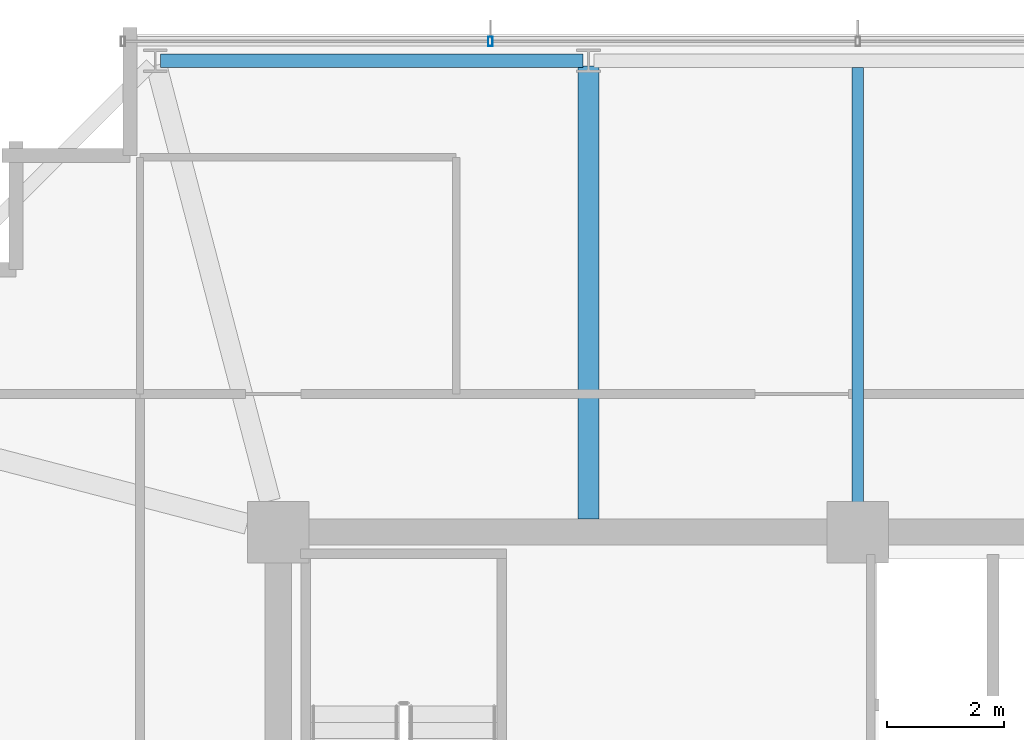
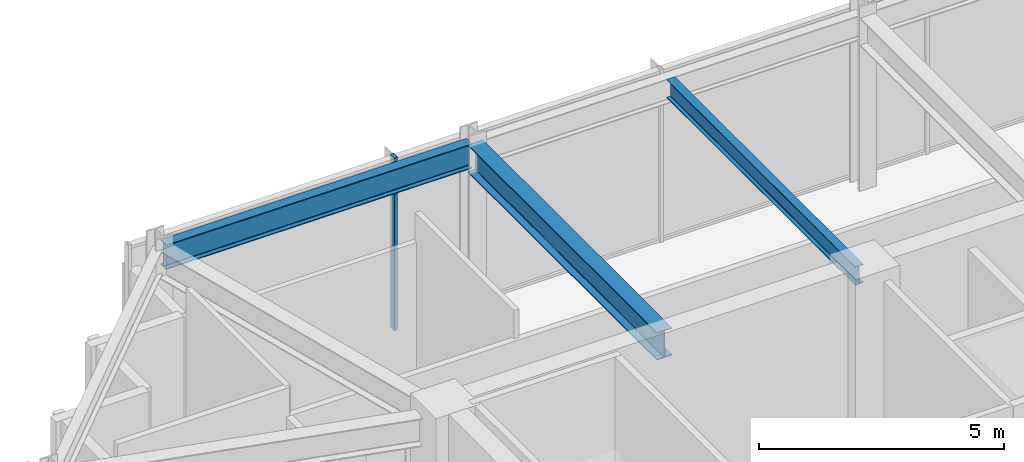
# One storey, part 16 of 30: 3 beams, 1 member, 1 element without a shape of its own.
"""IFC4 building model written with IfcOpenShell, lengths in metres."""

import ifcopenshell
import ifcopenshell.guid

model = None  # the IFC model being written
_history = None  # IfcOwnerHistory: only IFC2X3 demands one
_inside = {}  # id of a spatial element -> (the spatial element, [elements in it])
_under = {}  # id of a project, library or spatial element -> (it, [spatial elements below it])
_declared = {}  # id of a project -> (the project, [libraries it declares])
_typed = {}  # id of a type object -> (the type object, [elements of that type])
_made_of = {}  # id of a material, layer set ... -> (it, [elements and type objects made of it])


def new_model(schema):
    """Start an empty IFC model of exactly this schema.

    Asked for "IFC4X3", IfcOpenShell would pick the latest addendum, in which some entities
    have other attributes; the version numbers below select the first issue.
    IFC2X3 requires an IfcOwnerHistory on every rooted entity: one is made here for all.
    """
    global model, _history
    if schema == "IFC4X3":
        model = ifcopenshell.file(schema_version=(4, 3, 0, 0))
    else:
        model = ifcopenshell.file(schema=schema)
    _inside.clear()
    _under.clear()
    _declared.clear()
    _typed.clear()
    _made_of.clear()
    _history = None
    if model.schema == "IFC2X3":
        org = make("IfcOrganization", Name="unknown")
        user = make(
            "IfcPersonAndOrganization",
            ThePerson=make("IfcPerson", FamilyName="unknown"),
            TheOrganization=org,
        )
        app = make(
            "IfcApplication",
            ApplicationDeveloper=org,
            Version="unknown",
            ApplicationFullName="unknown",
            ApplicationIdentifier="unknown",
        )
        _history = make(
            "IfcOwnerHistory",
            OwningUser=user,
            OwningApplication=app,
            ChangeAction="ADDED",
            CreationDate=0,
        )
    return model


def make(cls, **values):
    """One entity of the class cls with the attributes given. An attribute that is None is left unset."""
    return model.create_entity(
        cls, **{name: value for name, value in values.items() if value is not None}
    )


def rooted(cls, **values):
    """An entity with a GlobalId (a new one), such as an element, a storey or a relation."""
    return make(cls, GlobalId=ifcopenshell.guid.new(), OwnerHistory=_history, **values)


def si_unit(unit_type, name, prefix=None):
    """IfcSIUnit, for example si_unit("LENGTHUNIT", "METRE", prefix="MILLI")."""
    return make("IfcSIUnit", UnitType=unit_type, Prefix=prefix, Name=name)


def assignment(units):
    """IfcUnitAssignment: the units of a project."""
    return None if units is None else make("IfcUnitAssignment", Units=units)


def point(xyz):
    """IfcCartesianPoint."""
    return None if xyz is None else make("IfcCartesianPoint", Coordinates=xyz)


def direction(xyz):
    """IfcDirection."""
    return None if xyz is None else make("IfcDirection", DirectionRatios=xyz)


def frame(location, z_axis=None, x_axis=None):
    """IfcAxis2Placement3D, a coordinate frame: its origin and axes. An axis left out is left unset."""
    return make(
        "IfcAxis2Placement3D",
        Location=point(location),
        Axis=direction(z_axis),
        RefDirection=direction(x_axis),
    )


def frame_2d(location, x_axis=None):
    """IfcAxis2Placement2D, a coordinate frame in the plane: its origin and x axis."""
    return make(
        "IfcAxis2Placement2D", Location=point(location), RefDirection=direction(x_axis)
    )


def origin():
    """The frame at (0, 0, 0) with its axes left unset."""
    return frame((0.0, 0.0, 0.0))


def origin_2d():
    """The frame at (0, 0) in the plane with its x axis left unset."""
    return frame_2d((0.0, 0.0))


def place(relative_to, where):
    """IfcLocalPlacement: puts the frame where relative to a parent placement (None: the world)."""
    return make(
        "IfcLocalPlacement", PlacementRelTo=relative_to, RelativePlacement=where
    )


def context(
    kind, dimensions, precision=None, world=None, true_north=None, identifier=None
):
    """IfcGeometricRepresentationContext, for example the 3D "Model" context."""
    return make(
        "IfcGeometricRepresentationContext",
        ContextIdentifier=identifier,
        ContextType=kind,
        CoordinateSpaceDimension=dimensions,
        Precision=precision,
        WorldCoordinateSystem=world,
        TrueNorth=true_north,
    )


def subcontext(parent, identifier, kind, view, scale=None):
    """IfcGeometricRepresentationSubContext, for example "Body" below "Model"."""
    return make(
        "IfcGeometricRepresentationSubContext",
        ContextIdentifier=identifier,
        ContextType=kind,
        ParentContext=parent,
        TargetScale=scale,
        TargetView=view,
    )


def project(units=None, contexts=None):
    """IfcProject with its units and contexts."""
    return rooted(
        "IfcProject",
        Name="project",
        RepresentationContexts=contexts,
        UnitsInContext=assignment(units),
    )


def spatial(cls, under=None, at=None, **own):
    """A site, building, storey or space (cls), placed at a placement, below another one or the project."""
    s = rooted(cls, ObjectPlacement=at, **own)
    if under is not None:
        _under.setdefault(under.id(), (under, []))[1].append(s)
    return s


def profile(cls, at=None, kind="AREA", **sizes):
    """A parametric profile (cls). Its sizes go by their IFC names, for example OverallWidth=200.0."""
    return make(cls, ProfileType=kind, Position=at, **sizes)


def hollow_rectangle(**sizes):
    """IfcRectangleHollowProfileDef."""
    return profile("IfcRectangleHollowProfileDef", **sizes)


def i_section(**sizes):
    """IfcIShapeProfileDef."""
    return profile("IfcIShapeProfileDef", **sizes)


def extrude(swept, where, along, depth):
    """IfcExtrudedAreaSolid: the profile swept, set in the frame where, extruded along a direction by depth."""
    return make(
        "IfcExtrudedAreaSolid",
        SweptArea=swept,
        Position=where,
        ExtrudedDirection=direction(along),
        Depth=depth,
    )


def shape(context_of_items, identifier, shape_type, items):
    """IfcShapeRepresentation: the items that make up one representation, for example the "Body"."""
    return make(
        "IfcShapeRepresentation",
        ContextOfItems=context_of_items,
        RepresentationIdentifier=identifier,
        RepresentationType=shape_type,
        Items=items,
    )


def material(Name=None, Category=None):
    """IfcMaterial."""
    return make("IfcMaterial", Name=Name, Category=Category)


def material_profile(
    of_material, cross_section, Name=None, Category=None, Priority=None
):
    """IfcMaterialProfile: a cross section and its material."""
    return make(
        "IfcMaterialProfile",
        Name=Name,
        Material=of_material,
        Profile=cross_section,
        Priority=Priority,
        Category=Category,
    )


def profile_set(profiles, Name=None, composite=None):
    """IfcMaterialProfileSet."""
    return make(
        "IfcMaterialProfileSet",
        Name=Name,
        MaterialProfiles=profiles,
        CompositeProfile=composite,
    )


def made_of(thing, what):
    """Note that an element or type object is made of a material, layer set ...; save() writes the relation."""
    if what is not None:
        _made_of.setdefault(what.id(), (what, []))[1].append(thing)
    return thing


def type_object(cls, material=None, **own):
    """A type object (cls), such as IfcWallType, which elements share."""
    return made_of(rooted(cls, **own), material)


def element(
    cls,
    number,
    at=None,
    inside=None,
    cuts=None,
    type_object=None,
    material=None,
    context=None,
    identifier="Body",
    shape_type=None,
    held_by="IfcProductDefinitionShape",
    body=None,
    shapes=None,
    **own,
):
    """One element of the class cls, such as IfcWall. Its Tag is "e" and its number.

    at: its placement. inside: the storey or other place that contains it. cuts: it is an
    opening in that element (IfcRelVoidsElement). A single representation is given by context,
    identifier, shape_type and body (its items); several are given by shapes. held_by: the class
    of the entity that holds the representations. save() writes the other relations.
    """
    e = rooted(cls, Tag="e%d" % number, ObjectPlacement=at, **own)
    if body is not None:
        shapes = [shape(context, identifier, shape_type, body)]
    if shapes is not None:
        e.Representation = make(held_by, Representations=shapes)
    if inside is not None:
        _inside.setdefault(inside.id(), (inside, []))[1].append(e)
    if cuts is not None:
        rooted(
            "IfcRelVoidsElement", RelatingBuildingElement=cuts, RelatedOpeningElement=e
        )
    if type_object is not None:
        _typed.setdefault(type_object.id(), (type_object, []))[1].append(e)
    return made_of(e, material)


def aggregate(whole, parts):
    """IfcRelAggregates: a whole, such as a stair, and the parts it consists of."""
    return rooted("IfcRelAggregates", RelatingObject=whole, RelatedObjects=parts)


def save(model, path):
    """Write the relations noted so far, then the file.

    IfcRelAggregates (storeys below a building ...), IfcRelContainedInSpatialStructure (elements
    in a storey), IfcRelDefinesByType, IfcRelAssociatesMaterial and IfcRelDeclares: one each for
    every whole, place, type object, material and project.
    """
    for whole, parts in _under.values():
        aggregate(whole, parts)
    for where, things in _inside.values():
        rooted(
            "IfcRelContainedInSpatialStructure",
            RelatedElements=things,
            RelatingStructure=where,
        )
    for kind, things in _typed.values():
        rooted("IfcRelDefinesByType", RelatedObjects=things, RelatingType=kind)
    for what, things in _made_of.values():
        rooted("IfcRelAssociatesMaterial", RelatedObjects=things, RelatingMaterial=what)
    for by, libraries in _declared.values():
        rooted("IfcRelDeclares", RelatingContext=by, RelatedDefinitions=libraries)
    model.write(path)


model = new_model("IFC4")

# Units and contexts
model_context = context("Model", 3, precision=1e-05, world=origin(), true_north=direction((0.0, 1.0)))
body_context = subcontext(model_context, "Body", "Model", "MODEL_VIEW")
ifc_project = project(units=[si_unit("LENGTHUNIT", "METRE"), si_unit("AREAUNIT", "SQUARE_METRE"), si_unit("VOLUMEUNIT", "CUBIC_METRE"), si_unit("PLANEANGLEUNIT", "RADIAN"), si_unit("MASSUNIT", "GRAM", prefix="KILO")], contexts=[model_context])

# Site, building, storey
site_placement = place(None, origin())
site = spatial("IfcSite", under=ifc_project, at=site_placement, CompositionType="ELEMENT")
building_placement = place(site_placement, origin())
building = spatial("IfcBuilding", under=site, at=building_placement, Name="Kolvaren Belvedere", CompositionType="ELEMENT")
storey_placement = place(building_placement, frame((0.0, 0.0, 262.800048828125)))
storey = spatial("IfcBuildingStorey", under=building, at=storey_placement, Name="L76", CompositionType="ELEMENT", Elevation=262.800048828125)

# Beams
ifc_material_1 = material(Name="Structural steel ASTM A992 Grade 50", Category="steel")
ifc_material_profile_1 = material_profile(ifc_material_1, i_section(OverallWidth=0.35498046875, OverallDepth=0.696044921875, WebThickness=0.015380859375, FlangeThickness=0.02490234375, FilletRadius=0.02197265625, at=origin_2d()), Name="W27X146")
ifc_profile_set_1 = profile_set([ifc_material_profile_1], Name="Structural steel ASTM A992 Grade 50")
beam_type_1 = type_object("IfcBeamType", Name="BM-GIRD-W27X146", PredefinedType="BEAM", material=ifc_profile_set_1)
beam_1_placement = place(storey_placement, frame((-4.60009765625, 10.125, 3.971923828125), z_axis=(0.0, 1.0, 0.0), x_axis=(-1.0, 0.0, 0.0)))
element("IfcBeam", 1, at=beam_1_placement, inside=storey, type_object=beam_type_1, Name="L76 North Radial Girder M", PredefinedType="BEAM", context=body_context, shape_type="SweptSolid", body=[
    extrude(i_section(OverallWidth=0.35498046875, OverallDepth=0.696044921875, WebThickness=0.015380859375, FlangeThickness=0.02490234375, FilletRadius=0.02197265625, at=origin_2d()), origin(), (0.0, 0.0, 1.0), 7.7333984375),
])
ifc_material_2 = material(Name="Structural steel ASTM A992 Grade 50", Category="steel")
ifc_material_profile_2 = material_profile(ifc_material_2, i_section(OverallWidth=0.19091796875, OverallDepth=0.4599609375, WebThickness=0.010009765625, FlangeThickness=0.01611328125, FilletRadius=0.014892578125, at=origin_2d()), Name="W18X55")
ifc_profile_set_2 = profile_set([ifc_material_profile_2], Name="Structural steel ASTM A992 Grade 50")
beam_type_2 = type_object("IfcBeamType", Name="BM-JOIST-W18X55", PredefinedType="BEAM", material=ifc_profile_set_2)
beam_2_placement = place(storey_placement, frame((0.0, 10.125, 4.08984375), z_axis=(0.0, 1.0, 0.0), x_axis=(-1.0, 0.0, 0.0)))
element("IfcBeam", 2, at=beam_2_placement, inside=storey, type_object=beam_type_2, Name="L76 North Centre Floor Beam", PredefinedType="BEAM", context=body_context, shape_type="SweptSolid", body=[
    extrude(i_section(OverallWidth=0.19091796875, OverallDepth=0.4599609375, WebThickness=0.010009765625, FlangeThickness=0.01611328125, FilletRadius=0.014892578125, at=origin_2d()), origin(), (0.0, 0.0, 1.0), 7.71044921875),
])
ifc_material_3 = material(Name="Structural steel ASTM A992 Grade 50", Category="steel")
ifc_material_profile_3 = material_profile(ifc_material_3, i_section(OverallWidth=0.22900390625, OverallDepth=0.612060546875, WebThickness=0.011962890625, FlangeThickness=0.01953125, FilletRadius=0.01806640625, at=origin_2d()), Name="W24X84")
ifc_profile_set_3 = profile_set([ifc_material_profile_3], Name="Structural steel ASTM A992 Grade 50")
beam_type_3 = type_object("IfcBeamType", Name="BM-SPAN-W24X84", PredefinedType="SPANDREL", material=ifc_profile_set_3)
beam_3_placement = place(storey_placement, frame((-4.691650390625, 17.949951171875, 4.013916015625), z_axis=(-1.0, 0.0, 0.0), x_axis=(0.0, -1.0, 0.0)))
element("IfcBeam", 3, at=beam_3_placement, inside=storey, type_object=beam_type_3, Name="L76 Perimeter Spandrel N2-N1", PredefinedType="SPANDREL", context=body_context, shape_type="SweptSolid", body=[
    extrude(i_section(OverallWidth=0.22900390625, OverallDepth=0.612060546875, WebThickness=0.011962890625, FlangeThickness=0.01953125, FilletRadius=0.01806640625, at=origin_2d()), origin(), (0.0, 0.0, 1.0), 7.216796875),
])

# Curtain wall, member
ifc_material_4 = material(Name="Anodised pale-metal aluminium AA 6063-T6", Category="aluminium")
curtain_wall_type = type_object("IfcCurtainWallType", Name="CW-CRN-OBS", PredefinedType="NOTDEFINED", material=ifc_material_4)
curtain_wall_placement = place(storey_placement, origin())
curtain_wall = element("IfcCurtainWall", 4, at=curtain_wall_placement, inside=storey, type_object=curtain_wall_type, Name="L76 Unitised Curtain Wall FCW-L76-N", PredefinedType="NOTDEFINED")
ifc_material_5 = material(Name="Anodised pale-metal aluminium AA 6063-T6", Category="aluminium")
ifc_material_profile_4 = material_profile(ifc_material_5, hollow_rectangle(XDim=0.074951171875, YDim=0.159912109375, WallThickness=0.00439453125, at=origin_2d()), Name="ALU-MUL-160X75")
ifc_profile_set_4 = profile_set([ifc_material_profile_4], Name="Anodised pale-metal aluminium AA 6063-T6")
member_type = type_object("IfcMemberType", Name="CW-MUL-160", PredefinedType="MULLION", material=ifc_profile_set_4)
member_placement = place(storey_placement, frame((-6.27490234375, 18.280029296875, 0.0), z_axis=(0.0, 0.0, 1.0), x_axis=(1.0, 0.0, 0.0)))
member = element("IfcMember", 5, at=member_placement, type_object=member_type, Name="FCW-L76-N Unitised Mullion 2", PredefinedType="MULLION", context=body_context, shape_type="SweptSolid", body=[
    extrude(hollow_rectangle(XDim=0.074951171875, YDim=0.159912109375, WallThickness=0.00439453125, at=origin_2d()), origin(), (0.0, 0.0, 1.0), 4.320068359375),
])
aggregate(curtain_wall, [member])

save(model, "model.ifc")
